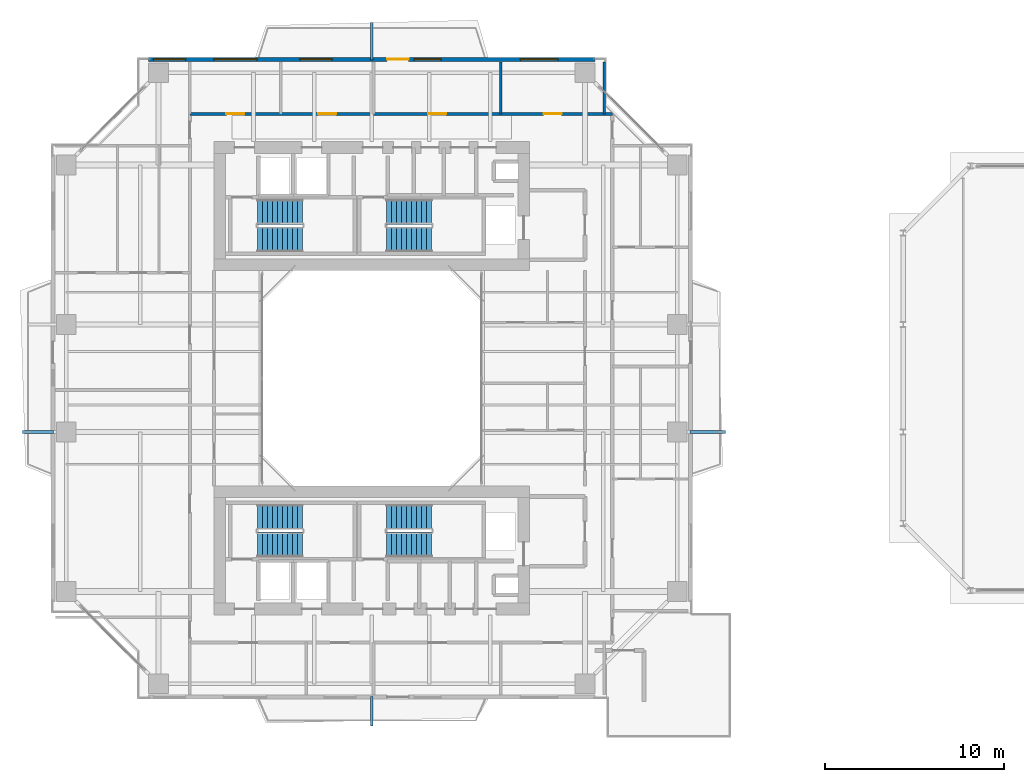
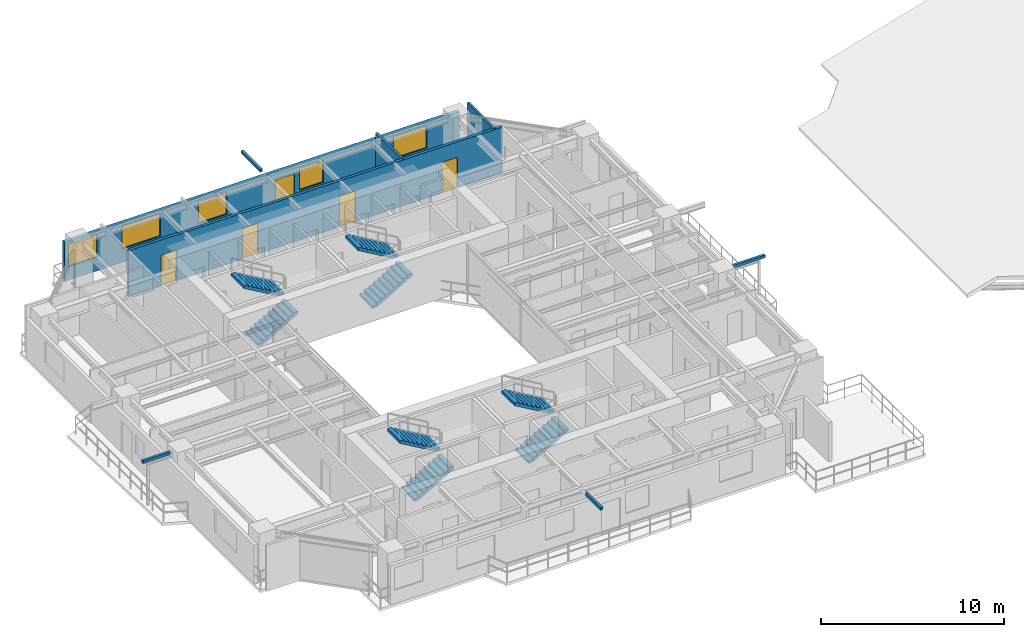
# One storey, part 25 of 28: 8 stair flights, 5 doors, 5 windows, 4 discrete accessories, 4 walls, 10 openings, 4 elements without a shape of their own.
"""IFC4 building model written with IfcOpenShell, lengths in metres."""

from ifc_helpers import new_model, si_unit, direction, frame, frame_2d, origin, origin_2d, place, context, subcontext, project, spatial, polyline, rectangle, outline, extrude, source, transform, mapped, material, layer, layer_set, type_object, element, fill, aggregate, save


model = new_model("IFC4")

# Units and contexts
model_context = context("Model", 3, precision=1e-05, world=origin(), true_north=direction((0.0, 1.0)))
body_context = subcontext(model_context, "Body", "Model", "MODEL_VIEW")
ifc_project = project(units=[si_unit("LENGTHUNIT", "METRE"), si_unit("AREAUNIT", "SQUARE_METRE"), si_unit("VOLUMEUNIT", "CUBIC_METRE"), si_unit("PLANEANGLEUNIT", "RADIAN"), si_unit("MASSUNIT", "GRAM", prefix="KILO"), si_unit("THERMODYNAMICTEMPERATUREUNIT", "KELVIN"), si_unit("POWERUNIT", "WATT")], contexts=[model_context])

# Site, building, storey
site_placement = place(None, origin())
site = spatial("IfcSite", under=ifc_project, at=site_placement, CompositionType="ELEMENT")
building_placement = place(site_placement, origin())
building = spatial("IfcBuilding", under=site, at=building_placement, Name="Qiaomeng Ring Towers", CompositionType="ELEMENT")
storey_placement = place(building_placement, frame((0.0, 0.0, 113.25)))
storey = spatial("IfcBuildingStorey", under=building, at=storey_placement, Name="L32", CompositionType="ELEMENT", Elevation=113.25)

# Wall, openings, windows, door
ifc_material_1 = material(Name="Precast concrete C40", Category="concrete")
ifc_layer_1 = layer(ifc_material_1, 0.219970703125, Name="Precast concrete C40")
ifc_layer_set_1 = layer_set([ifc_layer_1], Name="Precast concrete C40")
wall_type_1 = type_object("IfcWallType", Name="ARC-WL-EW2", PredefinedType="STANDARD", material=ifc_layer_set_1)
wall_1_placement = place(storey_placement, frame((6.550048828125, 40.7900390625, 0.0), z_axis=(0.0, 0.0, 1.0), x_axis=(1.0, 0.0, 0.0)))
wall_1 = element("IfcWall", 1, at=wall_1_placement, inside=storey, type_object=wall_type_1, Name="L32 Tower 1 N Exterior Wall", PredefinedType="STANDARD", context=body_context, shape_type="SweptSolid", body=[
    extrude(rectangle(XDim=24.89990234375, YDim=0.219970703125, at=frame_2d((12.449951171875, 0.0))), origin(), (0.0, 0.0, 1.0), 2.610107421875),
])
opening_1_placement = place(wall_1_placement, frame((13.300048828125, 0.0, 0.0)))
opening_1 = element("IfcOpeningElement", 2, at=opening_1_placement, cuts=wall_1, Name="Opening BD1", PredefinedType="OPENING", context=body_context, shape_type="SweptSolid", body=[
    extrude(rectangle(XDim=1.199951171875, YDim=2.10009765625, at=frame_2d((0.60009765625, 1.050048828125))), frame((0.0, 0.119873046875, 0.0), z_axis=(0.0, -1.0, 0.0), x_axis=(1.0, 0.0, 0.0)), (0.0, 0.0, 1.0), 0.239990234375),
])
opening_2_placement = place(wall_1_placement, frame((3.635009765625, 0.0, 0.89990234375)))
opening_2 = element("IfcOpeningElement", 3, at=opening_2_placement, cuts=wall_1, Name="Opening WN6", PredefinedType="OPENING", context=body_context, shape_type="SweptSolid", body=[
    extrude(rectangle(XDim=2.39990234375, YDim=1.5, at=frame_2d((1.199951171875, 0.75))), frame((0.0, 0.119873046875, 0.0), z_axis=(0.0, -1.0, 0.0), x_axis=(1.0, 0.0, 0.0)), (0.0, 0.0, 1.0), 0.239990234375),
])
opening_3_placement = place(wall_1_placement, frame((8.43798828125, 0.0, 0.89990234375)))
opening_3 = element("IfcOpeningElement", 4, at=opening_3_placement, cuts=wall_1, Name="Opening WN1", PredefinedType="OPENING", context=body_context, shape_type="SweptSolid", body=[
    extrude(rectangle(XDim=1.800048828125, YDim=1.449951171875, at=frame_2d((0.89990234375, 0.72509765625))), frame((0.0, 0.119873046875, 0.0), z_axis=(0.0, -1.0, 0.0), x_axis=(1.0, 0.0, 0.0)), (0.0, 0.0, 1.0), 0.239990234375),
])
opening_4_placement = place(wall_1_placement, frame((14.81298828125, 0.0, 0.89990234375)))
opening_4 = element("IfcOpeningElement", 5, at=opening_4_placement, cuts=wall_1, Name="Opening WN2", PredefinedType="OPENING", context=body_context, shape_type="SweptSolid", body=[
    extrude(rectangle(XDim=1.5, YDim=1.449951171875, at=frame_2d((0.75, 0.72509765625))), frame((0.0, 0.119873046875, 0.0), z_axis=(0.0, -1.0, 0.0), x_axis=(1.0, 0.0, 0.0)), (0.0, 0.0, 1.0), 0.239990234375),
])
opening_5_placement = place(wall_1_placement, frame((20.738037109375, 0.0, 0.89990234375)))
opening_5 = element("IfcOpeningElement", 6, at=opening_5_placement, cuts=wall_1, Name="Opening WN4", PredefinedType="OPENING", context=body_context, shape_type="SweptSolid", body=[
    extrude(rectangle(XDim=2.10009765625, YDim=1.47998046875, at=frame_2d((1.050048828125, 0.739990234375))), frame((0.0, 0.119873046875, 0.0), z_axis=(0.0, -1.0, 0.0), x_axis=(1.0, 0.0, 0.0)), (0.0, 0.0, 1.0), 0.239990234375),
])
opening_6_placement = place(wall_1_placement, frame((0.257568359375, 0.0, 0.89990234375)))
opening_6 = element("IfcOpeningElement", 7, at=opening_6_placement, cuts=wall_1, Name="Opening WN1", PredefinedType="OPENING", context=body_context, shape_type="SweptSolid", body=[
    extrude(rectangle(XDim=1.800048828125, YDim=1.5, at=frame_2d((0.89990234375, 0.75))), frame((0.0, 0.119873046875, 0.0), z_axis=(0.0, -1.0, 0.0), x_axis=(1.0, 0.0, 0.0)), (0.0, 0.0, 1.0), 0.239990234375),
])
ifc_material_2 = material(Name="Low-E dark-grey laminated double glazing", Category="glass")
window_type_1 = type_object("IfcWindowType", Name="ARC-WN-2", PartitioningType="DOUBLE_PANEL_VERTICAL", PredefinedType="WINDOW", material=ifc_material_2)
shared_shape_1 = source(origin(), body_context, "Body", "SweptSolid", [
    extrude(rectangle(XDim=1.5, YDim=1.449951171875, at=frame_2d((0.75, 0.72509765625))), frame((0.0, 0.030029296875, 0.0), z_axis=(0.0, -1.0, 0.0), x_axis=(1.0, 0.0, 0.0)), (0.0, 0.0, 1.0), 0.06005859375),
])
window_1_placement = place(opening_4_placement, origin())
window_1 = element("IfcWindow", 8, at=window_1_placement, inside=storey, type_object=window_type_1, Name="L32 Exterior Window WN2", OverallHeight=1.449951171875, OverallWidth=1.5, PartitioningType="DOUBLE_PANEL_VERTICAL", PredefinedType="WINDOW", context=body_context, shape_type="MappedRepresentation", body=[
    mapped(shared_shape_1, transform((0.0, 0.0, 0.0), x_axis=(1.0, 0.0, 0.0), y_axis=(0.0, 1.0, 0.0), z_axis=(0.0, 0.0, 1.0), scale=1.0)),
])
fill(opening_4, window_1)
window_type_2 = type_object("IfcWindowType", Name="ARC-WN-4", PartitioningType="TRIPLE_PANEL_VERTICAL", PredefinedType="WINDOW", material=ifc_material_2)
shared_shape_2 = source(origin(), body_context, "Body", "SweptSolid", [
    extrude(rectangle(XDim=2.10009765625, YDim=1.47998046875, at=frame_2d((1.050048828125, 0.739990234375))), frame((0.0, 0.030029296875, 0.0), z_axis=(0.0, -1.0, 0.0), x_axis=(1.0, 0.0, 0.0)), (0.0, 0.0, 1.0), 0.06005859375),
])
window_2_placement = place(opening_5_placement, origin())
window_2 = element("IfcWindow", 9, at=window_2_placement, inside=storey, type_object=window_type_2, Name="L32 Exterior Window WN4", OverallHeight=1.47998046875, OverallWidth=2.10009765625, PartitioningType="TRIPLE_PANEL_VERTICAL", PredefinedType="WINDOW", context=body_context, shape_type="MappedRepresentation", body=[
    mapped(shared_shape_2, transform((0.0, 0.0, 0.0), x_axis=(1.0, 0.0, 0.0), y_axis=(0.0, 1.0, 0.0), z_axis=(0.0, 0.0, 1.0), scale=1.0)),
])
fill(opening_5, window_2)
window_type_3 = type_object("IfcWindowType", Name="ARC-WN-1", PartitioningType="DOUBLE_PANEL_VERTICAL", PredefinedType="WINDOW", material=ifc_material_2)
shared_shape_3 = source(origin(), body_context, "Body", "SweptSolid", [
    extrude(rectangle(XDim=1.800048828125, YDim=1.449951171875, at=frame_2d((0.89990234375, 0.72509765625))), frame((0.0, 0.030029296875, 0.0), z_axis=(0.0, -1.0, 0.0), x_axis=(1.0, 0.0, 0.0)), (0.0, 0.0, 1.0), 0.06005859375),
])
window_3_placement = place(opening_3_placement, origin())
window_3 = element("IfcWindow", 10, at=window_3_placement, inside=storey, type_object=window_type_3, Name="L32 Exterior Window WN1", OverallHeight=1.449951171875, OverallWidth=1.800048828125, PartitioningType="DOUBLE_PANEL_VERTICAL", PredefinedType="WINDOW", context=body_context, shape_type="MappedRepresentation", body=[
    mapped(shared_shape_3, transform((0.0, 0.0, 0.0), x_axis=(1.0, 0.0, 0.0), y_axis=(0.0, 1.0, 0.0), z_axis=(0.0, 0.0, 1.0), scale=1.0)),
])
fill(opening_3, window_3)
door_type_1 = type_object("IfcDoorType", Name="ARC-DR-BD1", OperationType="NOTDEFINED", PredefinedType="DOOR", material=ifc_material_2)
shared_shape_4 = source(origin(), body_context, "Body", "SweptSolid", [
    extrude(rectangle(XDim=1.199951171875, YDim=2.10009765625, at=frame_2d((0.60009765625, 1.050048828125))), frame((0.0, 0.02490234375, 0.0), z_axis=(0.0, -1.0, 0.0), x_axis=(1.0, 0.0, 0.0)), (0.0, 0.0, 1.0), 0.050048828125),
])
door_1_placement = place(opening_1_placement, origin())
door_1 = element("IfcDoor", 11, at=door_1_placement, inside=storey, type_object=door_type_1, Name="L32 N Balcony Glazed Door", OperationType="SINGLE_SWING_LEFT", OverallHeight=2.10009765625, OverallWidth=1.199951171875, PredefinedType="DOOR", context=body_context, shape_type="MappedRepresentation", body=[
    mapped(shared_shape_4, transform((0.0, 0.0, 0.0), x_axis=(1.0, 0.0, 0.0), y_axis=(0.0, 1.0, 0.0), z_axis=(0.0, 0.0, 1.0), scale=1.0)),
])
fill(opening_1, door_1)
window_type_4 = type_object("IfcWindowType", Name="ARC-WN-6", PartitioningType="TRIPLE_PANEL_VERTICAL", PredefinedType="WINDOW", material=ifc_material_2)
shared_shape_5 = source(origin(), body_context, "Body", "SweptSolid", [
    extrude(rectangle(XDim=2.39990234375, YDim=1.5, at=frame_2d((1.199951171875, 0.75))), frame((0.0, 0.030029296875, 0.0), z_axis=(0.0, -1.0, 0.0), x_axis=(1.0, 0.0, 0.0)), (0.0, 0.0, 1.0), 0.06005859375),
])
window_4_placement = place(opening_2_placement, origin())
window_4 = element("IfcWindow", 12, at=window_4_placement, inside=storey, type_object=window_type_4, Name="L32 Exterior Window WN6", OverallHeight=1.5, OverallWidth=2.39990234375, PartitioningType="TRIPLE_PANEL_VERTICAL", PredefinedType="WINDOW", context=body_context, shape_type="MappedRepresentation", body=[
    mapped(shared_shape_5, transform((0.0, 0.0, 0.0), x_axis=(1.0, 0.0, 0.0), y_axis=(0.0, 1.0, 0.0), z_axis=(0.0, 0.0, 1.0), scale=1.0)),
])
fill(opening_2, window_4)
shared_shape_6 = source(origin(), body_context, "Body", "SweptSolid", [
    extrude(rectangle(XDim=1.800048828125, YDim=1.5, at=frame_2d((0.89990234375, 0.75))), frame((0.0, 0.030029296875, 0.0), z_axis=(0.0, -1.0, 0.0), x_axis=(1.0, 0.0, 0.0)), (0.0, 0.0, 1.0), 0.06005859375),
])
window_5_placement = place(opening_6_placement, origin())
window_5 = element("IfcWindow", 13, at=window_5_placement, inside=storey, type_object=window_type_3, Name="L32 Exterior Window WN1", OverallHeight=1.5, OverallWidth=1.800048828125, PartitioningType="DOUBLE_PANEL_VERTICAL", PredefinedType="WINDOW", context=body_context, shape_type="MappedRepresentation", body=[
    mapped(shared_shape_6, transform((0.0, 0.0, 0.0), x_axis=(1.0, 0.0, 0.0), y_axis=(0.0, 1.0, 0.0), z_axis=(0.0, 0.0, 1.0), scale=1.0)),
])
fill(opening_6, window_5)

# Wall, openings, doors
ifc_material_3 = material(Name="Autoclaved aerated concrete block", Category="concrete")
ifc_layer_2 = layer(ifc_material_3, 0.179931640625, Name="Autoclaved aerated concrete block")
ifc_layer_set_2 = layer_set([ifc_layer_2], Name="Autoclaved aerated concrete block")
wall_type_2 = type_object("IfcWallType", Name="ARC-WL-PW2", PredefinedType="PARTITIONING", material=ifc_layer_set_2)
wall_2_placement = place(storey_placement, frame((8.85009765625, 37.75, 0.0), z_axis=(0.0, 0.0, 1.0), x_axis=(1.0, 0.0, 0.0)))
wall_2 = element("IfcWall", 14, at=wall_2_placement, inside=storey, type_object=wall_type_2, Name="L32 Interior Wall PW2", PredefinedType="PARTITIONING", context=body_context, shape_type="SweptSolid", body=[
    extrude(rectangle(XDim=23.56982421875, YDim=0.179931640625, at=frame_2d((11.784912109375, 0.0))), origin(), (0.0, 0.0, 1.0), 3.070068359375),
])
opening_7_placement = place(wall_2_placement, frame((2.034912109375, 0.0, 0.0)))
opening_7 = element("IfcOpeningElement", 15, at=opening_7_placement, cuts=wall_2, Name="Opening FD4", PredefinedType="OPENING", context=body_context, shape_type="SweptSolid", body=[
    extrude(rectangle(XDim=1.0, YDim=2.050048828125, at=frame_2d((0.5, 1.02490234375))), frame((0.0, 0.099853515625, 0.0), z_axis=(0.0, -1.0, 0.0), x_axis=(1.0, 0.0, 0.0)), (0.0, 0.0, 1.0), 0.199951171875),
])
opening_8_placement = place(wall_2_placement, frame((7.159912109375, 0.0, 0.0)))
opening_8 = element("IfcOpeningElement", 16, at=opening_8_placement, cuts=wall_2, Name="Opening FD4", PredefinedType="OPENING", context=body_context, shape_type="SweptSolid", body=[
    extrude(rectangle(XDim=1.0, YDim=2.050048828125, at=frame_2d((0.5, 1.02490234375))), frame((0.0, 0.099853515625, 0.0), z_axis=(0.0, -1.0, 0.0), x_axis=(1.0, 0.0, 0.0)), (0.0, 0.0, 1.0), 0.199951171875),
])
opening_9_placement = place(wall_2_placement, frame((13.300048828125, 0.0, 0.0)))
opening_9 = element("IfcOpeningElement", 17, at=opening_9_placement, cuts=wall_2, Name="Opening FD4", PredefinedType="OPENING", context=body_context, shape_type="SweptSolid", body=[
    extrude(rectangle(XDim=1.0, YDim=2.050048828125, at=frame_2d((0.5, 1.02490234375))), frame((0.0, 0.099853515625, 0.0), z_axis=(0.0, -1.0, 0.0), x_axis=(1.0, 0.0, 0.0)), (0.0, 0.0, 1.0), 0.199951171875),
])
opening_10_placement = place(wall_2_placement, frame((19.739990234375, 0.0, 0.0)))
opening_10 = element("IfcOpeningElement", 18, at=opening_10_placement, cuts=wall_2, Name="Opening FD4", PredefinedType="OPENING", context=body_context, shape_type="SweptSolid", body=[
    extrude(rectangle(XDim=1.0, YDim=2.050048828125, at=frame_2d((0.5, 1.02490234375))), frame((0.0, 0.099853515625, 0.0), z_axis=(0.0, -1.0, 0.0), x_axis=(1.0, 0.0, 0.0)), (0.0, 0.0, 1.0), 0.199951171875),
])
ifc_material_4 = material(Name="Engineered fire-rated oak timber", Category="wood")
door_type_2 = type_object("IfcDoorType", Name="ARC-DR-FD4", OperationType="NOTDEFINED", PredefinedType="DOOR", material=ifc_material_4)
shared_shape_7 = source(origin(), body_context, "Body", "SweptSolid", [
    extrude(rectangle(XDim=1.0, YDim=2.050048828125, at=frame_2d((0.5, 1.02490234375))), frame((0.0, 0.02490234375, 0.0), z_axis=(0.0, -1.0, 0.0), x_axis=(1.0, 0.0, 0.0)), (0.0, 0.0, 1.0), 0.050048828125),
])
door_2_placement = place(opening_7_placement, origin())
door_2 = element("IfcDoor", 19, at=door_2_placement, inside=storey, type_object=door_type_2, Name="L32 Door FD4", OperationType="SINGLE_SWING_RIGHT", OverallHeight=2.050048828125, OverallWidth=1.0, PredefinedType="DOOR", context=body_context, shape_type="MappedRepresentation", body=[
    mapped(shared_shape_7, transform((0.0, 0.0, 0.0), x_axis=(1.0, 0.0, 0.0), y_axis=(0.0, 1.0, 0.0), z_axis=(0.0, 0.0, 1.0), scale=1.0)),
])
fill(opening_7, door_2)
door_3_placement = place(opening_8_placement, origin())
door_3 = element("IfcDoor", 20, at=door_3_placement, inside=storey, type_object=door_type_2, Name="L32 Door FD4", OperationType="SINGLE_SWING_LEFT", OverallHeight=2.050048828125, OverallWidth=1.0, PredefinedType="DOOR", context=body_context, shape_type="MappedRepresentation", body=[
    mapped(shared_shape_7, transform((0.0, 0.0, 0.0), x_axis=(1.0, 0.0, 0.0), y_axis=(0.0, 1.0, 0.0), z_axis=(0.0, 0.0, 1.0), scale=1.0)),
])
fill(opening_8, door_3)
door_4_placement = place(opening_9_placement, origin())
door_4 = element("IfcDoor", 21, at=door_4_placement, inside=storey, type_object=door_type_2, Name="L32 Door FD4", OperationType="SINGLE_SWING_RIGHT", OverallHeight=2.050048828125, OverallWidth=1.0, PredefinedType="DOOR", context=body_context, shape_type="MappedRepresentation", body=[
    mapped(shared_shape_7, transform((0.0, 0.0, 0.0), x_axis=(1.0, 0.0, 0.0), y_axis=(0.0, 1.0, 0.0), z_axis=(0.0, 0.0, 1.0), scale=1.0)),
])
fill(opening_9, door_4)
door_5_placement = place(opening_10_placement, origin())
door_5 = element("IfcDoor", 22, at=door_5_placement, inside=storey, type_object=door_type_2, Name="L32 Door FD4", OperationType="SINGLE_SWING_LEFT", OverallHeight=2.050048828125, OverallWidth=1.0, PredefinedType="DOOR", context=body_context, shape_type="MappedRepresentation", body=[
    mapped(shared_shape_7, transform((0.0, 0.0, 0.0), x_axis=(1.0, 0.0, 0.0), y_axis=(0.0, 1.0, 0.0), z_axis=(0.0, 0.0, 1.0), scale=1.0)),
])
fill(opening_10, door_5)

# Walls
ifc_material_5 = material(Name="Gypsum fireboard steel-stud partition", Category="steel")
ifc_layer_3 = layer(ifc_material_5, 0.14990234375, Name="Gypsum fireboard steel-stud partition")
ifc_layer_set_3 = layer_set([ifc_layer_3], Name="Gypsum fireboard steel-stud partition")
wall_type_3 = type_object("IfcWallType", Name="ARC-WL-PW3", PredefinedType="PARTITIONING", material=ifc_layer_set_3)
for number, where, z_axis, x_axis, name in (
    (23, (26.199951171875, 37.75, 0.0), (0.0, 0.0, 1.0), (0.0, 1.0, 0.0), "L32 Interior Wall PW3"),
    (24, (31.97998046875, 37.75, 0.0), (0.0, 0.0, 1.0), (0.0, 1.0, 0.0), "L32 Interior Wall PW3"),
):
    element("IfcWall", number, at=place(storey_placement, frame(where, z_axis=z_axis, x_axis=x_axis)), inside=storey, type_object=wall_type_3, Name=name, PredefinedType="PARTITIONING", context=body_context, shape_type="SweptSolid", body=[
        extrude(rectangle(XDim=2.89990234375, YDim=0.14990234375, at=frame_2d((1.449951171875, 0.0))), origin(), (0.0, 0.0, 1.0), 3.070068359375),
    ])

# Stair, stair flights
stair_type = type_object("IfcStairType", Name="ARC-ST-325", PredefinedType="HALF_TURN_STAIR", material=ifc_material_1)
stair_1_placement = place(storey_placement, origin())
stair_1 = element("IfcStair", 25, at=stair_1_placement, inside=storey, type_object=stair_type, Name="L32 Tower 1 North Stair 1", PredefinedType="HALF_TURN_STAIR")
stair_flight_type = type_object("IfcStairFlightType", Name="ARC-ST-325-FL", PredefinedType="STRAIGHT", material=ifc_material_1)
shared_shape_8 = source(origin(), body_context, "Body", "SweptSolid", [
    extrude(outline(polyline([(0.0, 0.0), (0.0, 0.16259765625), (0.280029296875, 0.16259765625), (0.280029296875, 0.324951171875), (0.56005859375, 0.324951171875), (0.56005859375, 0.487548828125), (0.840087890625, 0.487548828125), (0.840087890625, 0.64990234375), (1.1201171875, 0.64990234375), (1.1201171875, 0.8125), (1.39990234375, 0.8125), (1.39990234375, 0.97509765625), (1.679931640625, 0.97509765625), (1.679931640625, 1.137451171875), (1.9599609375, 1.137451171875), (1.9599609375, 1.300048828125), (2.239990234375, 1.300048828125), (2.239990234375, 1.46240234375), (2.52001953125, 1.46240234375), (2.52001953125, 1.625), (2.52001953125, 1.2890625), (0.298583984375, 0.0), (0.0, 0.0)])), frame((0.0, 0.699951171875, 0.0), z_axis=(0.0, -1.0, 0.0), x_axis=(1.0, 0.0, 0.0)), (0.0, 0.0, 1.0), 1.39990234375),
])
stair_flight_1_placement = place(storey_placement, frame((12.6201171875, 30.75, 0.0), z_axis=(0.0, 0.0, 1.0), x_axis=(1.0, 0.0, 0.0)))
stair_flight_1 = element("IfcStairFlight", 26, at=stair_flight_1_placement, type_object=stair_flight_type, Name="ST1 flight 1", NumberOfRisers=10, NumberOfTreads=9, PredefinedType="STRAIGHT", RiserHeight=0.1625, TreadLength=0.28, context=body_context, shape_type="MappedRepresentation", body=[
    mapped(shared_shape_8, transform((0.0, 0.0, 0.0), x_axis=(1.0, 0.0, 0.0), y_axis=(0.0, 1.0, 0.0), z_axis=(0.0, 0.0, 1.0), scale=1.0)),
])
stair_flight_2_placement = place(storey_placement, frame((15.139892578125, 32.2900390625, 1.625), z_axis=(0.0, 0.0, 1.0), x_axis=(-1.0, 0.0, 0.0)))
stair_flight_2 = element("IfcStairFlight", 27, at=stair_flight_2_placement, type_object=stair_flight_type, Name="ST1 flight 2", NumberOfRisers=10, NumberOfTreads=9, PredefinedType="STRAIGHT", RiserHeight=0.1625, TreadLength=0.28, context=body_context, shape_type="MappedRepresentation", body=[
    mapped(shared_shape_8, transform((0.0, 0.0, 0.0), x_axis=(1.0, 0.0, 0.0), y_axis=(0.0, 1.0, 0.0), z_axis=(0.0, 0.0, 1.0), scale=1.0)),
])
aggregate(stair_1, [stair_flight_1, stair_flight_2])

stair_2_placement = place(storey_placement, origin())
stair_2 = element("IfcStair", 28, at=stair_2_placement, inside=storey, type_object=stair_type, Name="L32 Tower 1 North Stair 2", PredefinedType="HALF_TURN_STAIR")
stair_flight_3_placement = place(storey_placement, frame((19.820068359375, 30.75, 0.0), z_axis=(0.0, 0.0, 1.0), x_axis=(1.0, 0.0, 0.0)))
stair_flight_3 = element("IfcStairFlight", 29, at=stair_flight_3_placement, type_object=stair_flight_type, Name="ST2 flight 1", NumberOfRisers=10, NumberOfTreads=9, PredefinedType="STRAIGHT", RiserHeight=0.1625, TreadLength=0.28, context=body_context, shape_type="MappedRepresentation", body=[
    mapped(shared_shape_8, transform((0.0, 0.0, 0.0), x_axis=(1.0, 0.0, 0.0), y_axis=(0.0, 1.0, 0.0), z_axis=(0.0, 0.0, 1.0), scale=1.0)),
])
stair_flight_4_placement = place(storey_placement, frame((22.340087890625, 32.2900390625, 1.625), z_axis=(0.0, 0.0, 1.0), x_axis=(-1.0, 0.0, 0.0)))
stair_flight_4 = element("IfcStairFlight", 30, at=stair_flight_4_placement, type_object=stair_flight_type, Name="ST2 flight 2", NumberOfRisers=10, NumberOfTreads=9, PredefinedType="STRAIGHT", RiserHeight=0.1625, TreadLength=0.28, context=body_context, shape_type="MappedRepresentation", body=[
    mapped(shared_shape_8, transform((0.0, 0.0, 0.0), x_axis=(1.0, 0.0, 0.0), y_axis=(0.0, 1.0, 0.0), z_axis=(0.0, 0.0, 1.0), scale=1.0)),
])
aggregate(stair_2, [stair_flight_3, stair_flight_4])

stair_3_placement = place(storey_placement, origin())
stair_3 = element("IfcStair", 31, at=stair_3_placement, inside=storey, type_object=stair_type, Name="L32 Tower 1 South Stair 3", PredefinedType="HALF_TURN_STAIR")
stair_flight_5_placement = place(storey_placement, frame((12.6201171875, 13.7099609375, 0.0), z_axis=(0.0, 0.0, 1.0), x_axis=(1.0, 0.0, 0.0)))
stair_flight_5 = element("IfcStairFlight", 32, at=stair_flight_5_placement, type_object=stair_flight_type, Name="ST3 flight 1", NumberOfRisers=10, NumberOfTreads=9, PredefinedType="STRAIGHT", RiserHeight=0.1625, TreadLength=0.28, context=body_context, shape_type="MappedRepresentation", body=[
    mapped(shared_shape_8, transform((0.0, 0.0, 0.0), x_axis=(1.0, 0.0, 0.0), y_axis=(0.0, 1.0, 0.0), z_axis=(0.0, 0.0, 1.0), scale=1.0)),
])
stair_flight_6_placement = place(storey_placement, frame((15.139892578125, 15.25, 1.625), z_axis=(0.0, 0.0, 1.0), x_axis=(-1.0, 0.0, 0.0)))
stair_flight_6 = element("IfcStairFlight", 33, at=stair_flight_6_placement, type_object=stair_flight_type, Name="ST3 flight 2", NumberOfRisers=10, NumberOfTreads=9, PredefinedType="STRAIGHT", RiserHeight=0.1625, TreadLength=0.28, context=body_context, shape_type="MappedRepresentation", body=[
    mapped(shared_shape_8, transform((0.0, 0.0, 0.0), x_axis=(1.0, 0.0, 0.0), y_axis=(0.0, 1.0, 0.0), z_axis=(0.0, 0.0, 1.0), scale=1.0)),
])
aggregate(stair_3, [stair_flight_5, stair_flight_6])

stair_4_placement = place(storey_placement, origin())
stair_4 = element("IfcStair", 34, at=stair_4_placement, inside=storey, type_object=stair_type, Name="L32 Tower 1 South Stair 4", PredefinedType="HALF_TURN_STAIR")
stair_flight_7_placement = place(storey_placement, frame((19.820068359375, 13.7099609375, 0.0), z_axis=(0.0, 0.0, 1.0), x_axis=(1.0, 0.0, 0.0)))
stair_flight_7 = element("IfcStairFlight", 35, at=stair_flight_7_placement, type_object=stair_flight_type, Name="ST4 flight 1", NumberOfRisers=10, NumberOfTreads=9, PredefinedType="STRAIGHT", RiserHeight=0.1625, TreadLength=0.28, context=body_context, shape_type="MappedRepresentation", body=[
    mapped(shared_shape_8, transform((0.0, 0.0, 0.0), x_axis=(1.0, 0.0, 0.0), y_axis=(0.0, 1.0, 0.0), z_axis=(0.0, 0.0, 1.0), scale=1.0)),
])
stair_flight_8_placement = place(storey_placement, frame((22.340087890625, 15.25, 1.625), z_axis=(0.0, 0.0, 1.0), x_axis=(-1.0, 0.0, 0.0)))
stair_flight_8 = element("IfcStairFlight", 36, at=stair_flight_8_placement, type_object=stair_flight_type, Name="ST4 flight 2", NumberOfRisers=10, NumberOfTreads=9, PredefinedType="STRAIGHT", RiserHeight=0.1625, TreadLength=0.28, context=body_context, shape_type="MappedRepresentation", body=[
    mapped(shared_shape_8, transform((0.0, 0.0, 0.0), x_axis=(1.0, 0.0, 0.0), y_axis=(0.0, 1.0, 0.0), z_axis=(0.0, 0.0, 1.0), scale=1.0)),
])
aggregate(stair_4, [stair_flight_7, stair_flight_8])

# Discrete accessories
ifc_material_6 = material(Name="Stainless steel 316", Category="steel")
discrete_accessory_type = type_object("IfcDiscreteAccessoryType", Name="ARC-ACC-BRACKET", PredefinedType="BRACKET", material=ifc_material_6)
shared_shape_9 = source(origin(), body_context, "Body", "SweptSolid", [
    extrude(rectangle(XDim=0.159912109375, YDim=1.64990234375, at=origin_2d()), origin(), (0.0, 0.0, 1.0), 0.179931640625),
])
discrete_accessory_1_placement = place(storey_placement, frame((19.0, 4.425048828125, 2.89990234375), z_axis=(0.0, 0.0, 1.0), x_axis=(1.0, 0.0, 0.0)))
element("IfcDiscreteAccessory", 37, at=discrete_accessory_1_placement, inside=storey, type_object=discrete_accessory_type, Name="L32 Stainless Outer-Skin Tie Bracket S", PredefinedType="BRACKET", context=body_context, shape_type="MappedRepresentation", body=[
    mapped(shared_shape_9, transform((0.0, 0.0, 0.0), x_axis=(1.0, 0.0, 0.0), y_axis=(0.0, 1.0, 0.0), z_axis=(0.0, 0.0, 1.0), scale=1.0)),
])
shared_shape_10 = source(origin(), body_context, "Body", "SweptSolid", [
    extrude(rectangle(XDim=1.989990234375, YDim=0.159912109375, at=origin_2d()), origin(), (0.0, 0.0, 1.0), 0.179931640625),
])
discrete_accessory_2_placement = place(storey_placement, frame((37.7451171875, 20.0, 2.89990234375), z_axis=(0.0, 0.0, 1.0), x_axis=(1.0, 0.0, 0.0)))
element("IfcDiscreteAccessory", 38, at=discrete_accessory_2_placement, inside=storey, type_object=discrete_accessory_type, Name="L32 Stainless Outer-Skin Tie Bracket E", PredefinedType="BRACKET", context=body_context, shape_type="MappedRepresentation", body=[
    mapped(shared_shape_10, transform((0.0, 0.0, 0.0), x_axis=(1.0, 0.0, 0.0), y_axis=(0.0, 1.0, 0.0), z_axis=(0.0, 0.0, 1.0), scale=1.0)),
])
shared_shape_11 = source(origin(), body_context, "Body", "SweptSolid", [
    extrude(rectangle(XDim=0.159912109375, YDim=2.090087890625, at=origin_2d()), origin(), (0.0, 0.0, 1.0), 0.179931640625),
])
discrete_accessory_3_placement = place(storey_placement, frame((19.0, 41.794921875, 2.89990234375), z_axis=(0.0, 0.0, 1.0), x_axis=(1.0, 0.0, 0.0)))
element("IfcDiscreteAccessory", 39, at=discrete_accessory_3_placement, inside=storey, type_object=discrete_accessory_type, Name="L32 Stainless Outer-Skin Tie Bracket N", PredefinedType="BRACKET", context=body_context, shape_type="MappedRepresentation", body=[
    mapped(shared_shape_11, transform((0.0, 0.0, 0.0), x_axis=(1.0, 0.0, 0.0), y_axis=(0.0, 1.0, 0.0), z_axis=(0.0, 0.0, 1.0), scale=1.0)),
])
shared_shape_12 = source(origin(), body_context, "Body", "SweptSolid", [
    extrude(rectangle(XDim=1.72998046875, YDim=0.159912109375, at=origin_2d()), origin(), (0.0, 0.0, 1.0), 0.179931640625),
])
discrete_accessory_4_placement = place(storey_placement, frame((0.385009765625, 20.0, 2.89990234375), z_axis=(0.0, 0.0, 1.0), x_axis=(1.0, 0.0, 0.0)))
element("IfcDiscreteAccessory", 40, at=discrete_accessory_4_placement, inside=storey, type_object=discrete_accessory_type, Name="L32 Stainless Outer-Skin Tie Bracket W", PredefinedType="BRACKET", context=body_context, shape_type="MappedRepresentation", body=[
    mapped(shared_shape_12, transform((0.0, 0.0, 0.0), x_axis=(1.0, 0.0, 0.0), y_axis=(0.0, 1.0, 0.0), z_axis=(0.0, 0.0, 1.0), scale=1.0)),
])

save(model, "model.ifc")
